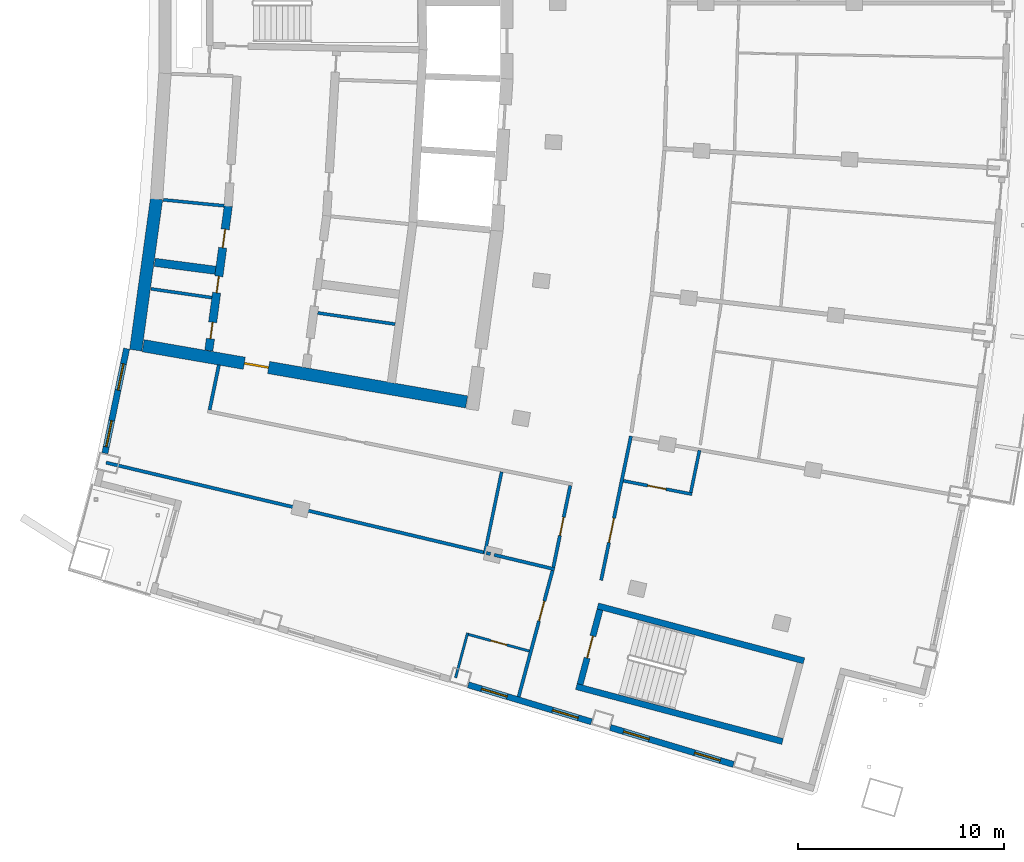
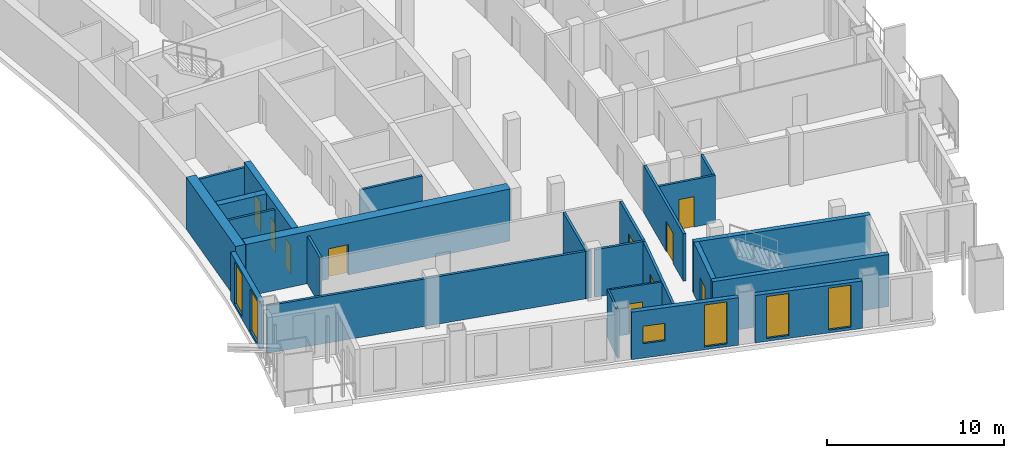
# One storey, part 9 of 18: 25 walls, 10 doors, 6 windows, 16 openings.
"""IFC4 building model written with IfcOpenShell, lengths in metres."""

from ifc_helpers import new_model, si_unit, direction, frame, frame_2d, origin, place, context, subcontext, project, spatial, rectangle, extrude, material, layer, layer_set, type_object, element, fill, save


model = new_model("IFC4")

# Units and contexts
model_context = context("Model", 3, precision=1e-05, world=origin(), true_north=direction((0.0, 1.0)))
body_context = subcontext(model_context, "Body", "Model", "MODEL_VIEW")
ifc_project = project(units=[si_unit("LENGTHUNIT", "METRE"), si_unit("AREAUNIT", "SQUARE_METRE"), si_unit("VOLUMEUNIT", "CUBIC_METRE"), si_unit("PLANEANGLEUNIT", "RADIAN"), si_unit("MASSUNIT", "GRAM", prefix="KILO")], contexts=[model_context])

# Site, building, storey
site_placement = place(None, origin())
site = spatial("IfcSite", under=ifc_project, at=site_placement, CompositionType="ELEMENT")
building_placement = place(site_placement, origin())
building = spatial("IfcBuilding", under=site, at=building_placement, Name="Alderwake Tower", CompositionType="ELEMENT")
storey_placement = place(building_placement, frame((0.0, 0.0, 225.199951171875)))
storey = spatial("IfcBuildingStorey", under=building, at=storey_placement, Name="L56", CompositionType="ELEMENT", Elevation=225.199951171875)

# Walls
ifc_material_1 = material(Name="Gypsum shaft wall system, rated")
ifc_layer_1 = layer(ifc_material_1, 0.14990234375)
ifc_layer_set_1 = layer_set([ifc_layer_1], Name="Core room partition 150")
wall_type_1 = type_object("IfcWallType", Name="Core room partition 150", PredefinedType="PARTITIONING", material=ifc_layer_set_1)
wall_1_placement = place(storey_placement, frame((16.064453125, 47.125, 0.0), z_axis=(0.0, 0.0, 1.0), x_axis=(0.989723849993, -0.142991960454, 0.0)))
element("IfcWall", 1, at=wall_1_placement, inside=storey, type_object=wall_type_1, Name="CW/L56/PR-150_+0", PredefinedType="PARTITIONING", context=body_context, shape_type="SweptSolid", body=[
    extrude(rectangle(XDim=2.98095703125, YDim=0.14990234375, at=frame_2d((1.490478515625, 0.0))), origin(), (0.0, 0.0, 1.0), 3.280029296875),
])
wall_2_placement = place(storey_placement, frame((24.158203125, 45.9560546875, 0.0), z_axis=(0.0, 0.0, 1.0), x_axis=(0.989724412664, -0.142988065858, 0.0)))
element("IfcWall", 2, at=wall_2_placement, inside=storey, type_object=wall_type_1, Name="CW/L56/PR-150_+86", PredefinedType="PARTITIONING", context=body_context, shape_type="SweptSolid", body=[
    extrude(rectangle(XDim=3.795654296875, YDim=0.14990234375, at=frame_2d((1.89794921875, 0.0))), origin(), (0.0, 0.0, 1.0), 3.280029296875),
])
wall_3_placement = place(storey_placement, frame((16.659423828125, 51.448486328125, 0.0), z_axis=(0.0, 0.0, 1.0), x_axis=(0.995154514796, -0.098323403527, 0.0)))
element("IfcWall", 3, at=wall_3_placement, inside=storey, type_object=wall_type_1, Name="CW/L56/PR-103_+0", PredefinedType="PARTITIONING", context=body_context, shape_type="SweptSolid", body=[
    extrude(rectangle(XDim=2.9697265625, YDim=0.14990234375, at=frame_2d((1.48486328125, 0.0))), origin(), (0.0, 0.0, 1.0), 3.280029296875),
])
ifc_material_2 = material(Name="Concrete C70/85", Category="concrete")
ifc_layer_2 = layer(ifc_material_2, 0.60009765625)
ifc_layer_set_2 = layer_set([ifc_layer_2], Name="Core wall outer 600 C70-85")
wall_type_2 = type_object("IfcWallType", Name="Core wall outer 600 C70-85", PredefinedType="SHEAR", material=ifc_layer_set_2)
wall_4_placement = place(storey_placement, frame((15.321533203125, 44.146240234375, 0.0), z_axis=(0.0, 0.0, 1.0), x_axis=(0.136316498814, 0.990665338119, 0.0)))
element("IfcWall", 4, at=wall_4_placement, inside=storey, type_object=wall_type_2, Name="Core wall CW.037", PredefinedType="SHEAR", context=body_context, shape_type="SweptSolid", body=[
    extrude(rectangle(XDim=7.41455078125, YDim=0.60009765625, at=frame_2d((3.707275390625, 0.0))), origin(), (0.0, 0.0, 1.0), 3.60009765625),
])

# Wall, opening, door
wall_5_placement = place(storey_placement, frame((31.386962890625, 41.63525390625, 0.0), z_axis=(0.0, 0.0, 1.0), x_axis=(-0.985223108003, 0.171275881127, 0.0)))
wall_5 = element("IfcWall", 5, at=wall_5_placement, inside=storey, type_object=wall_type_2, Name="Core wall CW.072", PredefinedType="SHEAR", context=body_context, shape_type="SweptSolid", body=[
    extrude(rectangle(XDim=15.937744140625, YDim=0.60009765625, at=frame_2d((7.96875, 0.0))), origin(), (0.0, 0.0, 1.0), 3.60009765625),
])
opening_1_placement = place(wall_5_placement, frame((9.757568359375, 0.0, 0.0)))
opening_1 = element("IfcOpeningElement", 6, at=opening_1_placement, cuts=wall_5, Name="Opening C003", PredefinedType="OPENING", context=body_context, shape_type="SweptSolid", body=[
    extrude(rectangle(XDim=1.199951171875, YDim=2.10009765625, at=frame_2d((0.60009765625, 1.050048828125))), frame((0.0, 0.31005859375, 0.0), z_axis=(0.0, -1.0, 0.0), x_axis=(1.0, 0.0, 0.0)), (0.0, 0.0, 1.0), 0.6201171875),
])
ifc_material_3 = material(Name="Steel-framed fire door leaf", Category="steel")
door_type_1 = type_object("IfcDoorType", Name="Core lobby exit door 1200 fire-rated", OperationType="SINGLE_SWING_LEFT", PredefinedType="DOOR", material=ifc_material_3)
door_1_placement = place(opening_1_placement, origin())
door_1 = element("IfcDoor", 7, at=door_1_placement, inside=storey, type_object=door_type_1, Name="Lobby door", OperationType="SINGLE_SWING_LEFT", OverallHeight=2.10009765625, OverallWidth=1.199951171875, PredefinedType="DOOR", context=body_context, shape_type="SweptSolid", body=[
    extrude(rectangle(XDim=1.199951171875, YDim=2.10009765625, at=frame_2d((0.60009765625, 1.050048828125))), frame((0.0, 0.050048828125, 0.0), z_axis=(0.0, -1.0, 0.0), x_axis=(1.0, 0.0, 0.0)), (0.0, 0.0, 1.0), 0.10009765625),
])
fill(opening_1, door_1)

# Wall, openings, doors
ifc_material_4 = material(Name="Concrete C70/85", Category="concrete")
ifc_layer_3 = layer(ifc_material_4, 0.39990234375)
ifc_layer_set_3 = layer_set([ifc_layer_3], Name="Core wall spine 400 C70-85")
wall_type_3 = type_object("IfcWallType", Name="Core wall spine 400 C70-85", PredefinedType="SHEAR", material=ifc_layer_set_3)
wall_6_placement = place(storey_placement, frame((19.814697265625, 51.143798828125, 0.0), z_axis=(0.0, 0.0, 1.0), x_axis=(-0.133333838703, -0.991071181831, 0.0)))
wall_6 = element("IfcWall", 8, at=wall_6_placement, inside=storey, type_object=wall_type_3, Name="Core wall CW.033", PredefinedType="SHEAR", context=body_context, shape_type="SweptSolid", body=[
    extrude(rectangle(XDim=7.078857421875, YDim=0.39990234375, at=frame_2d((3.53955078125, 0.0))), origin(), (0.0, 0.0, 1.0), 3.60009765625),
])
opening_2_placement = place(wall_6_placement, frame((5.69677734375, 0.0, 0.0)))
opening_2 = element("IfcOpeningElement", 9, at=opening_2_placement, cuts=wall_6, Name="Opening C008", PredefinedType="OPENING", context=body_context, shape_type="SweptSolid", body=[
    extrude(rectangle(XDim=0.800048828125, YDim=2.0, at=frame_2d((0.39990234375, 1.0))), frame((0.0, 0.2099609375, 0.0), z_axis=(0.0, -1.0, 0.0), x_axis=(1.0, 0.0, 0.0)), (0.0, 0.0, 1.0), 0.419921875),
])
opening_3_placement = place(wall_6_placement, frame((3.443115234375, 0.0, 0.0)))
opening_3 = element("IfcOpeningElement", 10, at=opening_3_placement, cuts=wall_6, Name="Opening C012", PredefinedType="OPENING", context=body_context, shape_type="SweptSolid", body=[
    extrude(rectangle(XDim=0.800048828125, YDim=2.0, at=frame_2d((0.39990234375, 1.0))), frame((0.0, 0.2099609375, 0.0), z_axis=(0.0, -1.0, 0.0), x_axis=(1.0, 0.0, 0.0)), (0.0, 0.0, 1.0), 0.419921875),
])
opening_4_placement = place(wall_6_placement, frame((1.13916015625, 0.0, 0.0)))
opening_4 = element("IfcOpeningElement", 11, at=opening_4_placement, cuts=wall_6, Name="Opening C039", PredefinedType="OPENING", context=body_context, shape_type="SweptSolid", body=[
    extrude(rectangle(XDim=0.89990234375, YDim=2.10009765625, at=frame_2d((0.449951171875, 1.050048828125))), frame((0.0, 0.2099609375, 0.0), z_axis=(0.0, -1.0, 0.0), x_axis=(1.0, 0.0, 0.0)), (0.0, 0.0, 1.0), 0.419921875),
])
ifc_material_5 = material(Name="Painted steel leaf", Category="steel")
door_type_2 = type_object("IfcDoorType", Name="Core room door 900", OperationType="SINGLE_SWING_LEFT", PredefinedType="DOOR", material=ifc_material_5)
door_2_placement = place(opening_4_placement, origin())
door_2 = element("IfcDoor", 12, at=door_2_placement, inside=storey, type_object=door_type_2, Name="Room door", OperationType="SINGLE_SWING_LEFT", OverallHeight=2.10009765625, OverallWidth=0.89990234375, PredefinedType="DOOR", context=body_context, shape_type="SweptSolid", body=[
    extrude(rectangle(XDim=0.89990234375, YDim=2.10009765625, at=frame_2d((0.449951171875, 1.050048828125))), frame((0.0, 0.02490234375, 0.0), z_axis=(0.0, -1.0, 0.0), x_axis=(1.0, 0.0, 0.0)), (0.0, 0.0, 1.0), 0.050048828125),
])
fill(opening_4, door_2)
ifc_material_6 = material(Name="Painted steel leaf, rated", Category="steel")
door_type_3 = type_object("IfcDoorType", Name="Riser access door 800", OperationType="SINGLE_SWING_LEFT", PredefinedType="DOOR", material=ifc_material_6)
door_3_placement = place(opening_2_placement, origin())
door_3 = element("IfcDoor", 13, at=door_3_placement, inside=storey, type_object=door_type_3, Name="Riser access door", OperationType="SINGLE_SWING_LEFT", OverallHeight=2.0, OverallWidth=0.800048828125, PredefinedType="DOOR", context=body_context, shape_type="SweptSolid", body=[
    extrude(rectangle(XDim=0.800048828125, YDim=2.0, at=frame_2d((0.39990234375, 1.0))), frame((0.0, 0.02490234375, 0.0), z_axis=(0.0, -1.0, 0.0), x_axis=(1.0, 0.0, 0.0)), (0.0, 0.0, 1.0), 0.050048828125),
])
fill(opening_2, door_3)
door_4_placement = place(opening_3_placement, origin())
door_4 = element("IfcDoor", 14, at=door_4_placement, inside=storey, type_object=door_type_3, Name="Riser access door", OperationType="SINGLE_SWING_RIGHT", OverallHeight=2.0, OverallWidth=0.800048828125, PredefinedType="DOOR", context=body_context, shape_type="SweptSolid", body=[
    extrude(rectangle(XDim=0.800048828125, YDim=2.0, at=frame_2d((0.39990234375, 1.0))), frame((0.0, 0.02490234375, 0.0), z_axis=(0.0, -1.0, 0.0), x_axis=(1.0, 0.0, 0.0)), (0.0, 0.0, 1.0), 0.050048828125),
])
fill(opening_3, door_4)

# Walls
wall_7_placement = place(storey_placement, frame((16.24169921875, 48.412353515625, 0.0), z_axis=(0.0, 0.0, 1.0), x_axis=(0.991548658387, -0.129735338481, 0.0)))
element("IfcWall", 15, at=wall_7_placement, inside=storey, type_object=wall_type_3, Name="Core wall CW.067", PredefinedType="SHEAR", context=body_context, shape_type="SweptSolid", body=[
    extrude(rectangle(XDim=2.97705078125, YDim=0.39990234375, at=frame_2d((1.488525390625, 0.0))), origin(), (0.0, 0.0, 1.0), 3.60009765625),
])
ifc_material_7 = material(Name="Concrete C70/85", Category="concrete")
ifc_layer_4 = layer(ifc_material_7, 0.300048828125)
ifc_layer_set_4 = layer_set([ifc_layer_4], Name="Core wall stair enclosure 300 C70-85")
wall_type_4 = type_object("IfcWallType", Name="Core wall stair enclosure 300 C70-85", PredefinedType="SHEAR", material=ifc_layer_set_4)
for number, where, z_axis, x_axis, name in (
    (16, (37.75390625, 31.731201171875, 0.0), (0.0, 0.0, 1.0), (0.966309214305, -0.257383958996, 0.0), "Core wall CW.086"),
    (17, (36.71142578125, 27.817626953125, 0.0), (0.0, 0.0, 1.0), (0.966309214305, -0.257383958996, 0.0), "Core wall CW.088"),
):
    element("IfcWall", number, at=place(storey_placement, frame(where, z_axis=z_axis, x_axis=x_axis)), inside=storey, type_object=wall_type_4, Name=name, PredefinedType="SHEAR", context=body_context, shape_type="SweptSolid", body=[
        extrude(rectangle(XDim=10.360107421875, YDim=0.300048828125, at=frame_2d((5.18017578125, 0.0))), origin(), (0.0, 0.0, 1.0), 3.60009765625),
    ])

# Wall, opening, door
wall_8_placement = place(storey_placement, frame((36.89501953125, 27.923828125, 0.0), z_axis=(0.0, 0.0, 1.0), x_axis=(0.257350630826, 0.966318090907, 0.0)))
wall_8 = element("IfcWall", 18, at=wall_8_placement, inside=storey, type_object=wall_type_4, Name="Core wall CW.087", PredefinedType="SHEAR", context=body_context, shape_type="SweptSolid", body=[
    extrude(rectangle(XDim=3.75, YDim=0.300048828125, at=frame_2d((1.875, 0.0))), origin(), (0.0, 0.0, 1.0), 3.60009765625),
])
opening_5_placement = place(wall_8_placement, frame((1.324951171875, 0.0, 0.0)))
opening_5 = element("IfcOpeningElement", 19, at=opening_5_placement, cuts=wall_8, Name="Opening C065", PredefinedType="OPENING", context=body_context, shape_type="SweptSolid", body=[
    extrude(rectangle(XDim=1.10009765625, YDim=2.10009765625, at=frame_2d((0.550048828125, 1.050048828125))), frame((0.0, 0.159912109375, 0.0), z_axis=(0.0, -1.0, 0.0), x_axis=(1.0, 0.0, 0.0)), (0.0, 0.0, 1.0), 0.320068359375),
])
ifc_material_8 = material(Name="Steel-framed fire door leaf", Category="steel")
door_type_4 = type_object("IfcDoorType", Name="Core stair door 1100 fire-rated", OperationType="SINGLE_SWING_LEFT", PredefinedType="DOOR", material=ifc_material_8)
door_5_placement = place(opening_5_placement, origin())
door_5 = element("IfcDoor", 20, at=door_5_placement, inside=storey, type_object=door_type_4, Name="Stair door", OperationType="SINGLE_SWING_RIGHT", OverallHeight=2.10009765625, OverallWidth=1.10009765625, PredefinedType="DOOR", context=body_context, shape_type="SweptSolid", body=[
    extrude(rectangle(XDim=1.10009765625, YDim=2.10009765625, at=frame_2d((0.550048828125, 1.050048828125))), frame((0.0, 0.02490234375, 0.0), z_axis=(0.0, -1.0, 0.0), x_axis=(1.0, 0.0, 0.0)), (0.0, 0.0, 1.0), 0.050048828125),
])
fill(opening_5, door_5)

# Walls
ifc_material_9 = material(Name="Gypsum board on metal studs, rated")
ifc_layer_5 = layer(ifc_material_9, 0.159912109375)
ifc_layer_set_5 = layer_set([ifc_layer_5], Name="Corridor wall 160")
wall_type_5 = type_object("IfcWallType", Name="Corridor wall 160", PredefinedType="PARTITIONING", material=ifc_layer_set_5)
wall_9_placement = place(storey_placement, frame((13.884033203125, 38.68798828125, 0.0), z_axis=(0.0, 0.0, 1.0), x_axis=(0.972897690171, -0.231235993004, 0.0)))
element("IfcWall", 21, at=wall_9_placement, inside=storey, type_object=wall_type_5, Name="WL/L56/W10", PredefinedType="PARTITIONING", context=body_context, shape_type="SweptSolid", body=[
    extrude(rectangle(XDim=18.8271484375, YDim=0.159912109375, at=frame_2d((9.41357421875, 0.0))), origin(), (0.0, 0.0, 1.0), 3.280029296875),
])
wall_10_placement = place(storey_placement, frame((19.35888671875, 43.430908203125, 0.0), z_axis=(0.0, 0.0, 1.0), x_axis=(-0.202554916658, -0.979270905183, 0.0)))
element("IfcWall", 22, at=wall_10_placement, inside=storey, type_object=wall_type_5, Name="WL/L56/W13", PredefinedType="PARTITIONING", context=body_context, shape_type="SweptSolid", body=[
    extrude(rectangle(XDim=2.229736328125, YDim=0.159912109375, at=frame_2d((1.11474609375, 0.0))), origin(), (0.0, 0.0, 1.0), 3.280029296875),
])
wall_11_placement = place(storey_placement, frame((32.343994140625, 34.300048828125, 0.0), z_axis=(0.0, 0.0, 1.0), x_axis=(0.974391195695, -0.224859506699, 0.0)))
element("IfcWall", 23, at=wall_11_placement, inside=storey, type_object=wall_type_5, Name="WL/L56/W15", PredefinedType="PARTITIONING", context=body_context, shape_type="SweptSolid", body=[
    extrude(rectangle(XDim=0.205322265625, YDim=0.159912109375, at=frame_2d((0.1025390625, 0.0))), origin(), (0.0, 0.0, 1.0), 3.280029296875),
])
wall_12_placement = place(storey_placement, frame((32.725341796875, 34.210205078125, 0.0), z_axis=(0.0, 0.0, 1.0), x_axis=(0.972838360224, -0.231485474442, 0.0)))
element("IfcWall", 24, at=wall_12_placement, inside=storey, type_object=wall_type_5, Name="WL/L56/W16", PredefinedType="PARTITIONING", context=body_context, shape_type="SweptSolid", body=[
    extrude(rectangle(XDim=3.01416015625, YDim=0.159912109375, at=frame_2d((1.507080078125, 0.0))), origin(), (0.0, 0.0, 1.0), 3.280029296875),
])

# Wall, opening, door
wall_13_placement = place(storey_placement, frame((33.912109375, 27.321044921875, 0.0), z_axis=(0.0, 0.0, 1.0), x_axis=(0.259370874835, 0.965777794986, 0.0)))
wall_13 = element("IfcWall", 25, at=wall_13_placement, inside=storey, type_object=wall_type_5, Name="WL/L56/W18", PredefinedType="PARTITIONING", context=body_context, shape_type="SweptSolid", body=[
    extrude(rectangle(XDim=6.349853515625, YDim=0.159912109375, at=frame_2d((3.1748046875, 0.0))), origin(), (0.0, 0.0, 1.0), 3.280029296875),
])
opening_6_placement = place(wall_13_placement, frame((3.811279296875, 0.0, 0.0)))
opening_6 = element("IfcOpeningElement", 26, at=opening_6_placement, cuts=wall_13, Name="Opening R16-U09.1", PredefinedType="OPENING", context=body_context, shape_type="SweptSolid", body=[
    extrude(rectangle(XDim=1.0, YDim=2.10009765625, at=frame_2d((0.5, 1.050048828125))), frame((0.0, 0.08984375, 0.0), z_axis=(0.0, -1.0, 0.0), x_axis=(1.0, 0.0, 0.0)), (0.0, 0.0, 1.0), 0.179931640625),
])
ifc_material_10 = material(Name="Solid timber leaf in steel frame", Category="steel")
door_type_5 = type_object("IfcDoorType", Name="Flat entrance door 1000 fire-rated", OperationType="SINGLE_SWING_LEFT", PredefinedType="DOOR", material=ifc_material_10)
door_6_placement = place(opening_6_placement, origin())
door_6 = element("IfcDoor", 27, at=door_6_placement, inside=storey, type_object=door_type_5, Name="DR/L56/U09.1", OperationType="SINGLE_SWING_LEFT", OverallHeight=2.10009765625, OverallWidth=1.0, PredefinedType="DOOR", context=body_context, shape_type="SweptSolid", body=[
    extrude(rectangle(XDim=1.0, YDim=2.10009765625, at=frame_2d((0.5, 1.050048828125))), frame((0.0, 0.02490234375, 0.0), z_axis=(0.0, -1.0, 0.0), x_axis=(1.0, 0.0, 0.0)), (0.0, 0.0, 1.0), 0.050048828125),
])
fill(opening_6, door_6)

wall_14_placement = place(storey_placement, frame((35.59619140625, 33.609375, 0.0), z_axis=(0.0, 0.0, 1.0), x_axis=(0.203245920818, 0.979127721838, 0.0)))
wall_14 = element("IfcWall", 28, at=wall_14_placement, inside=storey, type_object=wall_type_5, Name="WL/L56/W20", PredefinedType="PARTITIONING", context=body_context, shape_type="SweptSolid", body=[
    extrude(rectangle(XDim=4.046875, YDim=0.159912109375, at=frame_2d((2.0234375, 0.0))), origin(), (0.0, 0.0, 1.0), 3.280029296875),
])
opening_7_placement = place(wall_14_placement, frame((1.573486328125, 0.0, 0.0)))
opening_7 = element("IfcOpeningElement", 29, at=opening_7_placement, cuts=wall_14, Name="Opening R16-SBS2", PredefinedType="OPENING", context=body_context, shape_type="SweptSolid", body=[
    extrude(rectangle(XDim=0.89990234375, YDim=2.10009765625, at=frame_2d((0.449951171875, 1.050048828125))), frame((0.0, 0.08984375, 0.0), z_axis=(0.0, -1.0, 0.0), x_axis=(1.0, 0.0, 0.0)), (0.0, 0.0, 1.0), 0.179931640625),
])
ifc_material_11 = material(Name="Painted timber leaf", Category="wood")
door_type_6 = type_object("IfcDoorType", Name="Room door 900", OperationType="SINGLE_SWING_LEFT", PredefinedType="DOOR", material=ifc_material_11)
door_7_placement = place(opening_7_placement, origin())
door_7 = element("IfcDoor", 30, at=door_7_placement, inside=storey, type_object=door_type_6, Name="DR/L56/SBS2", OperationType="SINGLE_SWING_LEFT", OverallHeight=2.10009765625, OverallWidth=0.89990234375, PredefinedType="DOOR", context=body_context, shape_type="SweptSolid", body=[
    extrude(rectangle(XDim=0.89990234375, YDim=2.10009765625, at=frame_2d((0.449951171875, 1.050048828125))), frame((0.0, 0.02490234375, 0.0), z_axis=(0.0, -1.0, 0.0), x_axis=(1.0, 0.0, 0.0)), (0.0, 0.0, 1.0), 0.050048828125),
])
fill(opening_7, door_7)

wall_15_placement = place(storey_placement, frame((39.3642578125, 39.975341796875, 0.0), z_axis=(0.0, 0.0, 1.0), x_axis=(-0.202490391407, -0.979284249535, 0.0)))
wall_15 = element("IfcWall", 31, at=wall_15_placement, inside=storey, type_object=wall_type_5, Name="WL/L56/W22", PredefinedType="PARTITIONING", context=body_context, shape_type="SweptSolid", body=[
    extrude(rectangle(XDim=7.147216796875, YDim=0.159912109375, at=frame_2d((3.57373046875, 0.0))), origin(), (0.0, 0.0, 1.0), 3.280029296875),
])
opening_8_placement = place(wall_15_placement, frame((4.073486328125, 0.0, 0.0)))
opening_8 = element("IfcOpeningElement", 32, at=opening_8_placement, cuts=wall_15, Name="Opening R16-AM1.1", PredefinedType="OPENING", context=body_context, shape_type="SweptSolid", body=[
    extrude(rectangle(XDim=1.199951171875, YDim=2.10009765625, at=frame_2d((0.60009765625, 1.050048828125))), frame((0.0, 0.08984375, 0.0), z_axis=(0.0, -1.0, 0.0), x_axis=(1.0, 0.0, 0.0)), (0.0, 0.0, 1.0), 0.179931640625),
])
ifc_material_12 = material(Name="Steel-framed fire door leaf", Category="steel")
door_type_7 = type_object("IfcDoorType", Name="Lobby door 1200 fire-rated", OperationType="SINGLE_SWING_LEFT", PredefinedType="DOOR", material=ifc_material_12)
door_8_placement = place(opening_8_placement, origin())
door_8 = element("IfcDoor", 33, at=door_8_placement, inside=storey, type_object=door_type_7, Name="DR/L56/AM1.1", OperationType="SINGLE_SWING_LEFT", OverallHeight=2.10009765625, OverallWidth=1.199951171875, PredefinedType="DOOR", context=body_context, shape_type="SweptSolid", body=[
    extrude(rectangle(XDim=1.199951171875, YDim=2.10009765625, at=frame_2d((0.60009765625, 1.050048828125))), frame((0.0, 0.02490234375, 0.0), z_axis=(0.0, -1.0, 0.0), x_axis=(1.0, 0.0, 0.0)), (0.0, 0.0, 1.0), 0.050048828125),
])
fill(opening_8, door_8)

# Wall, openings, windows
ifc_material_13 = material(Name="Precast concrete C50/60 spandrel panel", Category="concrete")
ifc_layer_6 = layer(ifc_material_13, 0.300048828125)
ifc_layer_set_6 = layer_set([ifc_layer_6], Name="External wall EW1 Precast concrete C50/60 spandrel")
wall_type_6 = type_object("IfcWallType", Name="External wall EW1 Precast concrete C50/60 spandrel", PredefinedType="SOLIDWALL", material=ifc_layer_set_6)
wall_16_placement = place(storey_placement, frame((14.878173828125, 44.223388671875, 0.0), z_axis=(0.0, 0.0, 1.0), x_axis=(-0.202730149235, -0.979234643276, 0.0)))
wall_16 = element("IfcWall", 34, at=wall_16_placement, inside=storey, type_object=wall_type_6, Name="External wall 32", PredefinedType="SOLIDWALL", context=body_context, shape_type="SweptSolid", body=[
    extrude(rectangle(XDim=5.185546875, YDim=0.300048828125, at=frame_2d((2.5927734375, 0.0))), origin(), (0.0, 0.0, 1.0), 3.280029296875),
])
opening_9_placement = place(wall_16_placement, frame((0.75634765625, 0.0, 0.199951171875)))
opening_9 = element("IfcOpeningElement", 35, at=opening_9_placement, cuts=wall_16, Name="Opening W1", PredefinedType="OPENING", context=body_context, shape_type="SweptSolid", body=[
    extrude(rectangle(XDim=1.300048828125, YDim=2.89990234375, at=frame_2d((0.64990234375, 1.449951171875))), frame((0.0, 0.159912109375, 0.0), z_axis=(0.0, -1.0, 0.0), x_axis=(1.0, 0.0, 0.0)), (0.0, 0.0, 1.0), 0.320068359375),
])
opening_10_placement = place(wall_16_placement, frame((3.569091796875, 0.0, 0.199951171875)))
opening_10 = element("IfcOpeningElement", 36, at=opening_10_placement, cuts=wall_16, Name="Opening W1", PredefinedType="OPENING", context=body_context, shape_type="SweptSolid", body=[
    extrude(rectangle(XDim=1.300048828125, YDim=2.89990234375, at=frame_2d((0.64990234375, 1.449951171875))), frame((0.0, 0.159912109375, 0.0), z_axis=(0.0, -1.0, 0.0), x_axis=(1.0, 0.0, 0.0)), (0.0, 0.0, 1.0), 0.320068359375),
])
ifc_material_14 = material(Name="Bronze tinted glass in aluminium frame", Category="aluminium")
window_type_1 = type_object("IfcWindowType", Name="Window W1 tall fixed and vent", PartitioningType="DOUBLE_PANEL_VERTICAL", PredefinedType="WINDOW", material=ifc_material_14)
window_1_placement = place(opening_9_placement, origin())
window_1 = element("IfcWindow", 37, at=window_1_placement, inside=storey, type_object=window_type_1, Name="Window W1 tall fixed and vent", OverallHeight=2.89990234375, OverallWidth=1.300048828125, PartitioningType="DOUBLE_PANEL_VERTICAL", PredefinedType="WINDOW", context=body_context, shape_type="SweptSolid", body=[
    extrude(rectangle(XDim=1.300048828125, YDim=2.89990234375, at=frame_2d((0.64990234375, 1.449951171875))), frame((0.0, 0.030029296875, 0.0), z_axis=(0.0, -1.0, 0.0), x_axis=(1.0, 0.0, 0.0)), (0.0, 0.0, 1.0), 0.06005859375),
])
fill(opening_9, window_1)
window_2_placement = place(opening_10_placement, origin())
window_2 = element("IfcWindow", 38, at=window_2_placement, inside=storey, type_object=window_type_1, Name="Window W1 tall fixed and vent", OverallHeight=2.89990234375, OverallWidth=1.300048828125, PartitioningType="DOUBLE_PANEL_VERTICAL", PredefinedType="WINDOW", context=body_context, shape_type="SweptSolid", body=[
    extrude(rectangle(XDim=1.300048828125, YDim=2.89990234375, at=frame_2d((0.64990234375, 1.449951171875))), frame((0.0, 0.030029296875, 0.0), z_axis=(0.0, -1.0, 0.0), x_axis=(1.0, 0.0, 0.0)), (0.0, 0.0, 1.0), 0.06005859375),
])
fill(opening_10, window_2)

ifc_material_15 = material(Name="Bronze metal cladding on lightweight framing")
ifc_layer_7 = layer(ifc_material_15, 0.300048828125)
ifc_layer_set_7 = layer_set([ifc_layer_7], Name="External wall EW2 bronze metal cladding")
wall_type_7 = type_object("IfcWallType", Name="External wall EW2 bronze metal cladding", PredefinedType="SOLIDWALL", material=ifc_layer_set_7)
wall_17_placement = place(storey_placement, frame((31.465087890625, 27.900390625, 0.0), z_axis=(0.0, 0.0, 1.0), x_axis=(0.95776710022, -0.287545095136, 0.0)))
wall_17 = element("IfcWall", 39, at=wall_17_placement, inside=storey, type_object=wall_type_7, Name="External wall 6", PredefinedType="SOLIDWALL", context=body_context, shape_type="SweptSolid", body=[
    extrude(rectangle(XDim=6.24658203125, YDim=0.300048828125, at=frame_2d((3.123291015625, 0.0))), origin(), (0.0, 0.0, 1.0), 3.280029296875),
])
opening_11_placement = place(wall_17_placement, frame((0.673095703125, 0.0, 1.0)))
opening_11 = element("IfcOpeningElement", 40, at=opening_11_placement, cuts=wall_17, Name="Opening W2", PredefinedType="OPENING", context=body_context, shape_type="SweptSolid", body=[
    extrude(rectangle(XDim=1.300048828125, YDim=1.199951171875, at=frame_2d((0.64990234375, 0.60009765625))), frame((0.0, 0.159912109375, 0.0), z_axis=(0.0, -1.0, 0.0), x_axis=(1.0, 0.0, 0.0)), (0.0, 0.0, 1.0), 0.320068359375),
])
opening_12_placement = place(wall_17_placement, frame((4.273193359375, 0.0, 0.199951171875)))
opening_12 = element("IfcOpeningElement", 41, at=opening_12_placement, cuts=wall_17, Name="Opening W1", PredefinedType="OPENING", context=body_context, shape_type="SweptSolid", body=[
    extrude(rectangle(XDim=1.300048828125, YDim=2.89990234375, at=frame_2d((0.64990234375, 1.449951171875))), frame((0.0, 0.159912109375, 0.0), z_axis=(0.0, -1.0, 0.0), x_axis=(1.0, 0.0, 0.0)), (0.0, 0.0, 1.0), 0.320068359375),
])
window_3_placement = place(opening_12_placement, origin())
window_3 = element("IfcWindow", 42, at=window_3_placement, inside=storey, type_object=window_type_1, Name="Window W1 tall fixed and vent", OverallHeight=2.89990234375, OverallWidth=1.300048828125, PartitioningType="DOUBLE_PANEL_VERTICAL", PredefinedType="WINDOW", context=body_context, shape_type="SweptSolid", body=[
    extrude(rectangle(XDim=1.300048828125, YDim=2.89990234375, at=frame_2d((0.64990234375, 1.449951171875))), frame((0.0, 0.030029296875, 0.0), z_axis=(0.0, -1.0, 0.0), x_axis=(1.0, 0.0, 0.0)), (0.0, 0.0, 1.0), 0.06005859375),
])
fill(opening_12, window_3)
ifc_material_16 = material(Name="Bronze tinted glass in aluminium frame", Category="aluminium")
window_type_2 = type_object("IfcWindowType", Name="Window W2 kitchen and bath", PartitioningType="SINGLE_PANEL", PredefinedType="WINDOW", material=ifc_material_16)
window_4_placement = place(opening_11_placement, origin())
window_4 = element("IfcWindow", 43, at=window_4_placement, inside=storey, type_object=window_type_2, Name="Window W2 kitchen and bath", OverallHeight=1.199951171875, OverallWidth=1.300048828125, PartitioningType="SINGLE_PANEL", PredefinedType="WINDOW", context=body_context, shape_type="SweptSolid", body=[
    extrude(rectangle(XDim=1.300048828125, YDim=1.199951171875, at=frame_2d((0.64990234375, 0.60009765625))), frame((0.0, 0.030029296875, 0.0), z_axis=(0.0, -1.0, 0.0), x_axis=(1.0, 0.0, 0.0)), (0.0, 0.0, 1.0), 0.06005859375),
])
fill(opening_11, window_4)

wall_18_placement = place(storey_placement, frame((38.361083984375, 25.830078125, 0.0), z_axis=(0.0, 0.0, 1.0), x_axis=(0.95776710022, -0.287545095136, 0.0)))
wall_18 = element("IfcWall", 44, at=wall_18_placement, inside=storey, type_object=wall_type_7, Name="External wall 7", PredefinedType="SOLIDWALL", context=body_context, shape_type="SweptSolid", body=[
    extrude(rectangle(XDim=6.24658203125, YDim=0.300048828125, at=frame_2d((3.123291015625, 0.0))), origin(), (0.0, 0.0, 1.0), 3.280029296875),
])
opening_13_placement = place(wall_18_placement, frame((0.673095703125, 0.0, 0.199951171875)))
opening_13 = element("IfcOpeningElement", 45, at=opening_13_placement, cuts=wall_18, Name="Opening W1", PredefinedType="OPENING", context=body_context, shape_type="SweptSolid", body=[
    extrude(rectangle(XDim=1.300048828125, YDim=2.89990234375, at=frame_2d((0.64990234375, 1.449951171875))), frame((0.0, 0.159912109375, 0.0), z_axis=(0.0, -1.0, 0.0), x_axis=(1.0, 0.0, 0.0)), (0.0, 0.0, 1.0), 0.320068359375),
])
opening_14_placement = place(wall_18_placement, frame((4.273193359375, 0.0, 0.199951171875)))
opening_14 = element("IfcOpeningElement", 46, at=opening_14_placement, cuts=wall_18, Name="Opening W1", PredefinedType="OPENING", context=body_context, shape_type="SweptSolid", body=[
    extrude(rectangle(XDim=1.300048828125, YDim=2.89990234375, at=frame_2d((0.64990234375, 1.449951171875))), frame((0.0, 0.159912109375, 0.0), z_axis=(0.0, -1.0, 0.0), x_axis=(1.0, 0.0, 0.0)), (0.0, 0.0, 1.0), 0.320068359375),
])
window_5_placement = place(opening_13_placement, origin())
window_5 = element("IfcWindow", 47, at=window_5_placement, inside=storey, type_object=window_type_1, Name="Window W1 tall fixed and vent", OverallHeight=2.89990234375, OverallWidth=1.300048828125, PartitioningType="DOUBLE_PANEL_VERTICAL", PredefinedType="WINDOW", context=body_context, shape_type="SweptSolid", body=[
    extrude(rectangle(XDim=1.300048828125, YDim=2.89990234375, at=frame_2d((0.64990234375, 1.449951171875))), frame((0.0, 0.030029296875, 0.0), z_axis=(0.0, -1.0, 0.0), x_axis=(1.0, 0.0, 0.0)), (0.0, 0.0, 1.0), 0.06005859375),
])
fill(opening_13, window_5)
window_6_placement = place(opening_14_placement, origin())
window_6 = element("IfcWindow", 48, at=window_6_placement, inside=storey, type_object=window_type_1, Name="Window W1 tall fixed and vent", OverallHeight=2.89990234375, OverallWidth=1.300048828125, PartitioningType="DOUBLE_PANEL_VERTICAL", PredefinedType="WINDOW", context=body_context, shape_type="SweptSolid", body=[
    extrude(rectangle(XDim=1.300048828125, YDim=2.89990234375, at=frame_2d((0.64990234375, 1.449951171875))), frame((0.0, 0.030029296875, 0.0), z_axis=(0.0, -1.0, 0.0), x_axis=(1.0, 0.0, 0.0)), (0.0, 0.0, 1.0), 0.06005859375),
])
fill(opening_14, window_6)

# Wall
ifc_material_17 = material(Name="Gypsum shaft wall system, rated")
ifc_layer_8 = layer(ifc_material_17, 0.14990234375)
ifc_layer_set_8 = layer_set([ifc_layer_8], Name="Riser and shaft wall 150")
wall_type_8 = type_object("IfcWallType", Name="Riser and shaft wall 150", PredefinedType="PARTITIONING", material=ifc_layer_set_8)
wall_19_placement = place(storey_placement, frame((32.2578125, 34.23876953125, 0.0), z_axis=(0.0, 0.0, 1.0), x_axis=(0.202579923059, 0.979265732462, 0.0)))
element("IfcWall", 49, at=wall_19_placement, inside=storey, type_object=wall_type_8, Name="WL/L56/W06", PredefinedType="PARTITIONING", context=body_context, shape_type="SweptSolid", body=[
    extrude(rectangle(XDim=4.086669921875, YDim=0.14990234375, at=frame_2d((2.04345703125, 0.0))), origin(), (0.0, 0.0, 1.0), 3.280029296875),
])

# Wall, opening, door
wall_20_placement = place(storey_placement, frame((38.99755859375, 37.8056640625, 0.0), z_axis=(0.0, 0.0, 1.0), x_axis=(0.981480367208, -0.191562754169, 0.0)))
wall_20 = element("IfcWall", 50, at=wall_20_placement, inside=storey, type_object=wall_type_8, Name="WL/L56/W08", PredefinedType="PARTITIONING", context=body_context, shape_type="SweptSolid", body=[
    extrude(rectangle(XDim=3.393798828125, YDim=0.14990234375, at=frame_2d((1.69677734375, 0.0))), origin(), (0.0, 0.0, 1.0), 3.280029296875),
])
opening_15_placement = place(wall_20_placement, frame((1.209228515625, 0.0, 0.0)))
opening_15 = element("IfcOpeningElement", 51, at=opening_15_placement, cuts=wall_20, Name="Opening R16-AM1.2", PredefinedType="OPENING", context=body_context, shape_type="SweptSolid", body=[
    extrude(rectangle(XDim=0.89990234375, YDim=2.10009765625, at=frame_2d((0.449951171875, 1.050048828125))), frame((0.0, 0.0849609375, 0.0), z_axis=(0.0, -1.0, 0.0), x_axis=(1.0, 0.0, 0.0)), (0.0, 0.0, 1.0), 0.169921875),
])
door_9_placement = place(opening_15_placement, origin())
door_9 = element("IfcDoor", 52, at=door_9_placement, inside=storey, type_object=door_type_6, Name="DR/L56/AM1.2", OperationType="SINGLE_SWING_LEFT", OverallHeight=2.10009765625, OverallWidth=0.89990234375, PredefinedType="DOOR", context=body_context, shape_type="SweptSolid", body=[
    extrude(rectangle(XDim=0.89990234375, YDim=2.10009765625, at=frame_2d((0.449951171875, 1.050048828125))), frame((0.0, 0.02490234375, 0.0), z_axis=(0.0, -1.0, 0.0), x_axis=(1.0, 0.0, 0.0)), (0.0, 0.0, 1.0), 0.050048828125),
])
fill(opening_15, door_9)

# Walls
wall_21_placement = place(storey_placement, frame((42.270263671875, 37.243408203125, 0.0), z_axis=(0.0, 0.0, 1.0), x_axis=(0.202121820066, 0.979360388138, 0.0)))
element("IfcWall", 53, at=wall_21_placement, inside=storey, type_object=wall_type_8, Name="WL/L56/W09", PredefinedType="PARTITIONING", context=body_context, shape_type="SweptSolid", body=[
    extrude(rectangle(XDim=2.0859375, YDim=0.14990234375, at=frame_2d((1.04296875, 0.0))), origin(), (0.0, 0.0, 1.0), 3.280029296875),
])
ifc_material_18 = material(Name="Moisture resistant gypsum board on metal studs")
ifc_layer_9 = layer(ifc_material_18, 0.1201171875)
ifc_layer_set_9 = layer_set([ifc_layer_9], Name="Wet room partition 120")
wall_type_9 = type_object("IfcWallType", Name="Wet room partition 120", PredefinedType="PARTITIONING", material=ifc_layer_set_9)
wall_22_placement = place(storey_placement, frame((31.4345703125, 30.4208984375, 0.0), z_axis=(0.0, 0.0, 1.0), x_axis=(-0.259480612243, -0.965748317042, 0.0)))
element("IfcWall", 54, at=wall_22_placement, inside=storey, type_object=wall_type_9, Name="WL/L56/W32", PredefinedType="PARTITIONING", context=body_context, shape_type="SweptSolid", body=[
    extrude(rectangle(XDim=2.25634765625, YDim=0.1201171875, at=frame_2d((1.128173828125, 0.0))), origin(), (0.0, 0.0, 1.0), 3.280029296875),
])

# Wall, opening, door
wall_23_placement = place(storey_placement, frame((34.42578125, 29.5380859375, 0.0), z_axis=(0.0, 0.0, 1.0), x_axis=(-0.964362903476, 0.264583050097, 0.0)))
wall_23 = element("IfcWall", 55, at=wall_23_placement, inside=storey, type_object=wall_type_9, Name="WL/L56/W34", PredefinedType="PARTITIONING", context=body_context, shape_type="SweptSolid", body=[
    extrude(rectangle(XDim=3.057861328125, YDim=0.1201171875, at=frame_2d((1.52880859375, 0.0))), origin(), (0.0, 0.0, 1.0), 3.280029296875),
])
opening_16_placement = place(wall_23_placement, frame((1.12890625, 0.0, 0.0)))
opening_16 = element("IfcOpeningElement", 56, at=opening_16_placement, cuts=wall_23, Name="Opening R16-U09.2", PredefinedType="OPENING", context=body_context, shape_type="SweptSolid", body=[
    extrude(rectangle(XDim=0.800048828125, YDim=2.10009765625, at=frame_2d((0.39990234375, 1.050048828125))), frame((0.0, 0.070068359375, 0.0), z_axis=(0.0, -1.0, 0.0), x_axis=(1.0, 0.0, 0.0)), (0.0, 0.0, 1.0), 0.14013671875),
])
ifc_material_19 = material(Name="Painted timber leaf", Category="wood")
door_type_8 = type_object("IfcDoorType", Name="Bathroom door 800", OperationType="SINGLE_SWING_LEFT", PredefinedType="DOOR", material=ifc_material_19)
door_10_placement = place(opening_16_placement, origin())
door_10 = element("IfcDoor", 57, at=door_10_placement, inside=storey, type_object=door_type_8, Name="DR/L56/U09.2", OperationType="SINGLE_SWING_LEFT", OverallHeight=2.10009765625, OverallWidth=0.800048828125, PredefinedType="DOOR", context=body_context, shape_type="SweptSolid", body=[
    extrude(rectangle(XDim=0.800048828125, YDim=2.10009765625, at=frame_2d((0.39990234375, 1.050048828125))), frame((0.0, 0.02490234375, 0.0), z_axis=(0.0, -1.0, 0.0), x_axis=(1.0, 0.0, 0.0)), (0.0, 0.0, 1.0), 0.050048828125),
])
fill(opening_16, door_10)

save(model, "model.ifc")
